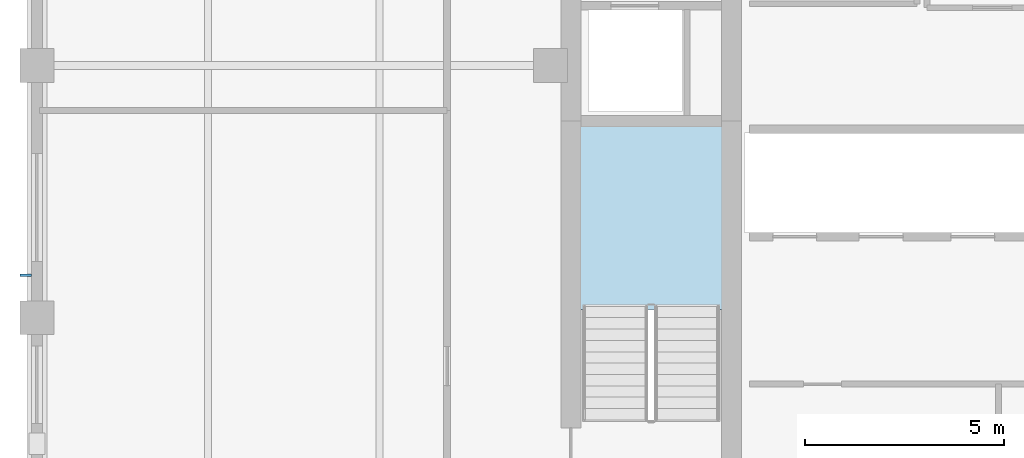
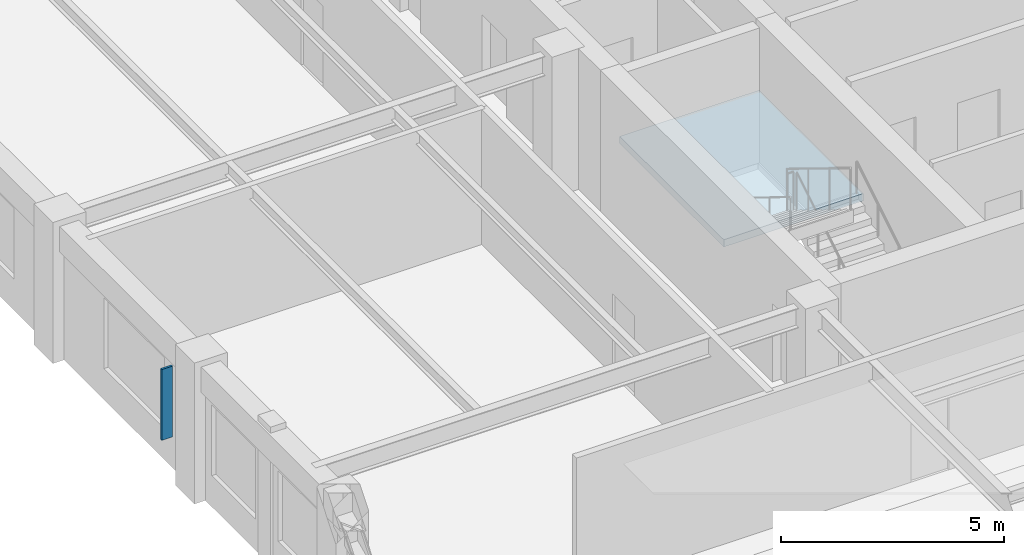
# One storey, part 2 of 11: 1 plate, 1 slab, 1 element without a shape of its own.
"""IFC4 building model written with IfcOpenShell, lengths in metres."""

from ifc_helpers import new_model, si_unit, direction, frame, origin, origin_2d, place, context, subcontext, project, spatial, polyline, rectangle, outline, extrude, material, layer, layer_set, type_object, element, aggregate, save


model = new_model("IFC4")

# Units and contexts
model_context = context("Model", 3, precision=1e-05, world=origin(), true_north=direction((0.0, 1.0)))
body_context = subcontext(model_context, "Body", "Model", "MODEL_VIEW")
ifc_project = project(units=[si_unit("LENGTHUNIT", "METRE"), si_unit("AREAUNIT", "SQUARE_METRE"), si_unit("VOLUMEUNIT", "CUBIC_METRE"), si_unit("PLANEANGLEUNIT", "RADIAN"), si_unit("MASSUNIT", "GRAM", prefix="KILO")], contexts=[model_context])

# Site, building, storey
site_placement = place(None, origin())
site = spatial("IfcSite", under=ifc_project, at=site_placement, CompositionType="ELEMENT")
building_placement = place(site_placement, origin())
building = spatial("IfcBuilding", under=site, at=building_placement, Name="Nhamokura Convention Tower", CompositionType="ELEMENT")
storey_placement = place(building_placement, frame((0.0, 0.0, 198.449951171875)))
storey = spatial("IfcBuildingStorey", under=building, at=storey_placement, Name="L48", CompositionType="ELEMENT", Elevation=198.449951171875)

# Plate
ifc_material_1 = material(Name="Anodised bronze aluminium AA6063-T6", Category="aluminium")
plate_type = type_object("IfcPlateType", Name="BronzeSolarFin_2", PredefinedType="USERDEFINED", material=ifc_material_1)
plate_placement = place(storey_placement, frame((7.469970703125, 26.7333984375, 0.85009765625), z_axis=(0.0, 0.0, 1.0), x_axis=(1.0, 0.0, 0.0)))
element("IfcPlate", 1, at=plate_placement, inside=storey, type_object=plate_type, Name="L48 Bronze Solar Shading Fin WEST 2", ObjectType="SOLAR_FIN", PredefinedType="USERDEFINED", context=body_context, shape_type="SweptSolid", body=[
    extrude(rectangle(XDim=0.280029296875, YDim=0.06005859375, at=origin_2d()), origin(), (0.0, 0.0, 1.0), 1.93505859375),
])

# Stair, slab
ifc_material_2 = material(Name="Concrete C40/50", Category="concrete")
stair_type = type_object("IfcStairType", Name="TowerCoreStair_1650", PredefinedType="HALF_TURN_STAIR", material=ifc_material_2)
stair_placement = place(storey_placement, origin())
stair = element("IfcStair", 2, at=stair_placement, inside=storey, type_object=stair_type, Name="L48 West Core Smokeproof Stair ST-01", PredefinedType="HALF_TURN_STAIR")
ifc_material_3 = material(Name="Concrete C40/50", Category="concrete")
ifc_layer = layer(ifc_material_3, 0.199951171875)
ifc_layer_set = layer_set([ifc_layer], Name="StairLandingSlab_200")
slab_type = type_object("IfcSlabType", Name="StairLandingSlab_200", PredefinedType="LANDING", material=ifc_layer_set)
slab_placement = place(storey_placement, frame((0.0, 0.0, 1.72509765625)))
slab = element("IfcSlab", 3, at=slab_placement, type_object=slab_type, Name="ST-01 landing 1", PredefinedType="LANDING", context=body_context, shape_type="SweptSolid", body=[
    extrude(outline(polyline([(24.97998046875, 25.8701171875), (24.97998046875, 30.530029296875), (21.3701171875, 30.530029296875), (21.3701171875, 25.8701171875), (24.97998046875, 25.8701171875)])), origin(), (0.0, 0.0, 1.0), 0.199951171875),
])
aggregate(stair, [slab])

save(model, "model.ifc")
